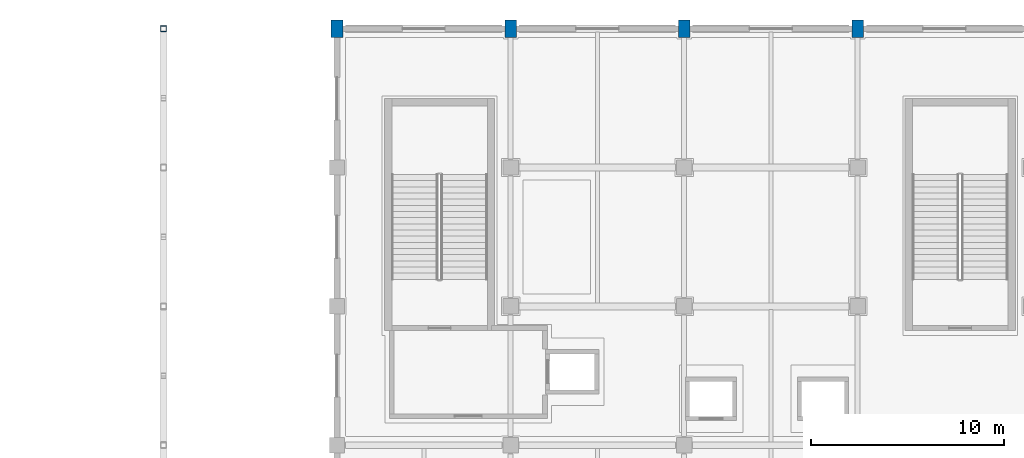
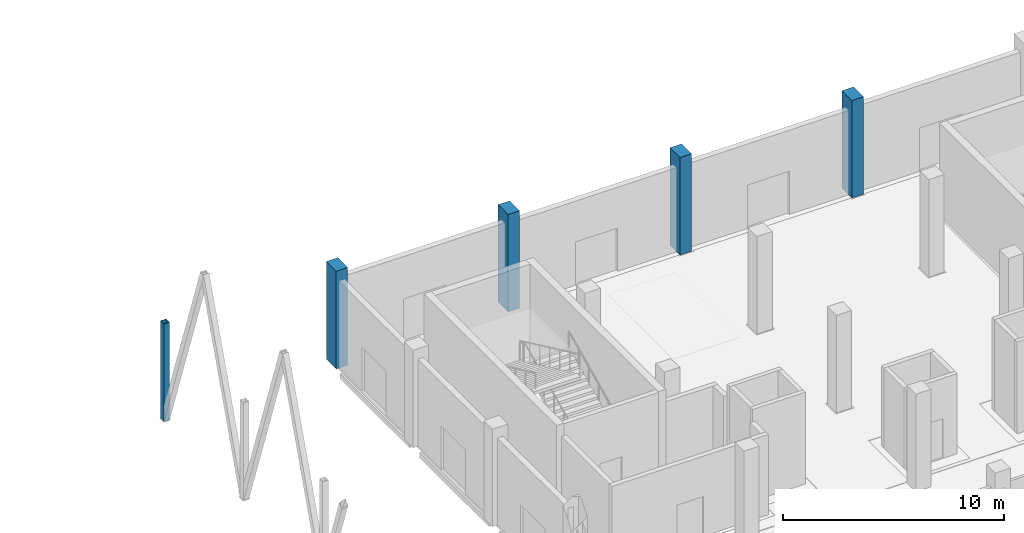
# One storey, part 13 of 137: 5 columns.
"""IFC4 building model written with IfcOpenShell, lengths in metres."""

from ifc_helpers import new_model, si_unit, direction, frame, origin, origin_2d, place, context, subcontext, project, spatial, rectangle, hollow_rectangle, extrude, material, material_profile, profile_set, type_object, element, save


model = new_model("IFC4")

# Units and contexts
model_context = context("Model", 3, precision=1e-05, world=origin(), true_north=direction((0.0, 1.0)))
body_context = subcontext(model_context, "Body", "Model", "MODEL_VIEW")
ifc_project = project(units=[si_unit("LENGTHUNIT", "METRE"), si_unit("AREAUNIT", "SQUARE_METRE"), si_unit("VOLUMEUNIT", "CUBIC_METRE"), si_unit("PLANEANGLEUNIT", "RADIAN"), si_unit("MASSUNIT", "GRAM", prefix="KILO")], contexts=[model_context])

# Site, building, storey
site_placement = place(None, origin())
site = spatial("IfcSite", under=ifc_project, at=site_placement, CompositionType="ELEMENT")
building_placement = place(site_placement, origin())
building = spatial("IfcBuilding", under=site, at=building_placement, Name="Celestram Park Convention Centre", CompositionType="ELEMENT")
storey_placement = place(building_placement, origin())
storey = spatial("IfcBuildingStorey", under=building, at=storey_placement, Name="L00", CompositionType="ELEMENT", Elevation=0.0)

# Columns
ifc_material_1 = material(Name="Steel ASTM A500 Grade C", Category="steel")
ifc_material_profile_1 = material_profile(ifc_material_1, hollow_rectangle(XDim=0.300048828125, YDim=0.300048828125, WallThickness=0.01611328125, at=origin_2d()), Name="HSS300X300X16")
ifc_profile_set_1 = profile_set([ifc_material_profile_1], Name="Steel ASTM A500 Grade C")
column_type_1 = type_object("IfcColumnType", Name="STR-COL-HSS300", PredefinedType="COLUMN", material=ifc_profile_set_1)
column_placement = place(storey_placement, frame((27.0, 165.60009765625, 0.0), z_axis=(0.0, 0.0, 1.0), x_axis=(1.0, 0.0, 0.0)))
element("IfcColumn", 1, at=column_placement, inside=storey, type_object=column_type_1, Name="Column CN-L00-039", PredefinedType="COLUMN", context=body_context, shape_type="SweptSolid", body=[
    extrude(hollow_rectangle(XDim=0.300048828125, YDim=0.300048828125, WallThickness=0.01611328125, at=origin_2d()), origin(), (0.0, 0.0, 1.0), 5.39990234375),
])
ifc_material_2 = material(Name="Concrete C40/50", Category="concrete")
ifc_material_profile_2 = material_profile(ifc_material_2, rectangle(XDim=0.60009765625, YDim=0.89990234375, at=origin_2d()), Name="RC900X600")
ifc_profile_set_2 = profile_set([ifc_material_profile_2], Name="Concrete C40/50")
column_type_2 = type_object("IfcColumnType", Name="STR-COL-RC900X600", PredefinedType="COLUMN", material=ifc_profile_set_2)
for number, where, z_axis, x_axis, name in (
    (2, (36.0, 165.60009765625, 0.0), (0.0, 0.0, 1.0), (1.0, 0.0, 0.0), "Column CN-L00-052"),
    (3, (45.0, 165.60009765625, 0.0), (0.0, 0.0, 1.0), (1.0, 0.0, 0.0), "Column CN-L00-065"),
    (4, (54.0, 165.60009765625, 0.0), (0.0, 0.0, 1.0), (1.0, 0.0, 0.0), "Column CN-L00-078"),
    (5, (63.0, 165.60009765625, 0.0), (0.0, 0.0, 1.0), (1.0, 0.0, 0.0), "Column CN-L00-091"),
):
    element("IfcColumn", number, at=place(storey_placement, frame(where, z_axis=z_axis, x_axis=x_axis)), inside=storey, type_object=column_type_2, Name=name, PredefinedType="COLUMN", context=body_context, shape_type="SweptSolid", body=[
        extrude(rectangle(XDim=0.60009765625, YDim=0.89990234375, at=origin_2d()), origin(), (0.0, 0.0, 1.0), 5.39990234375),
    ])

save(model, "model.ifc")
